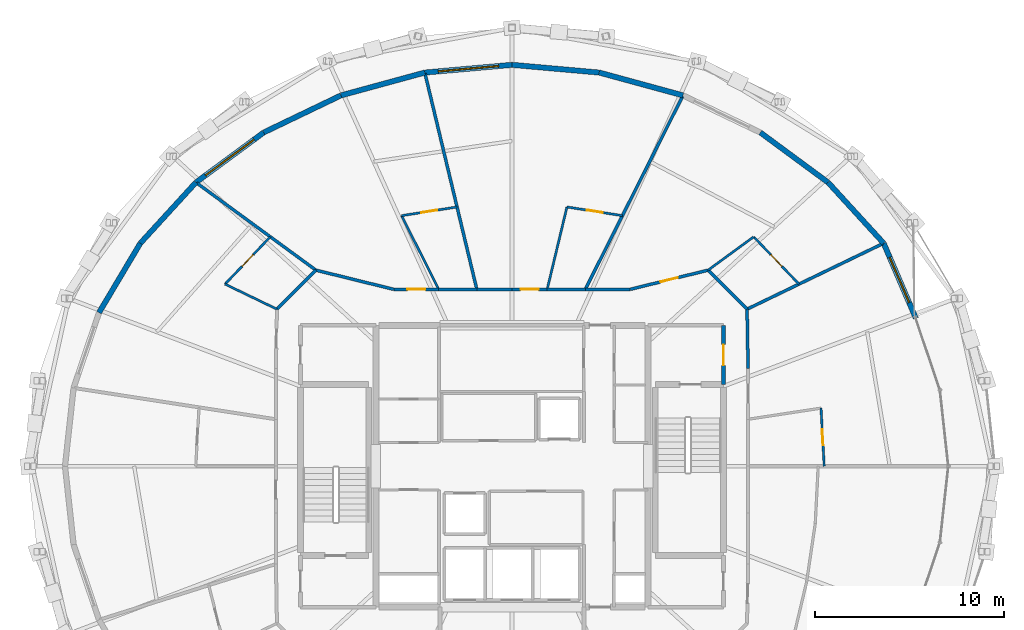
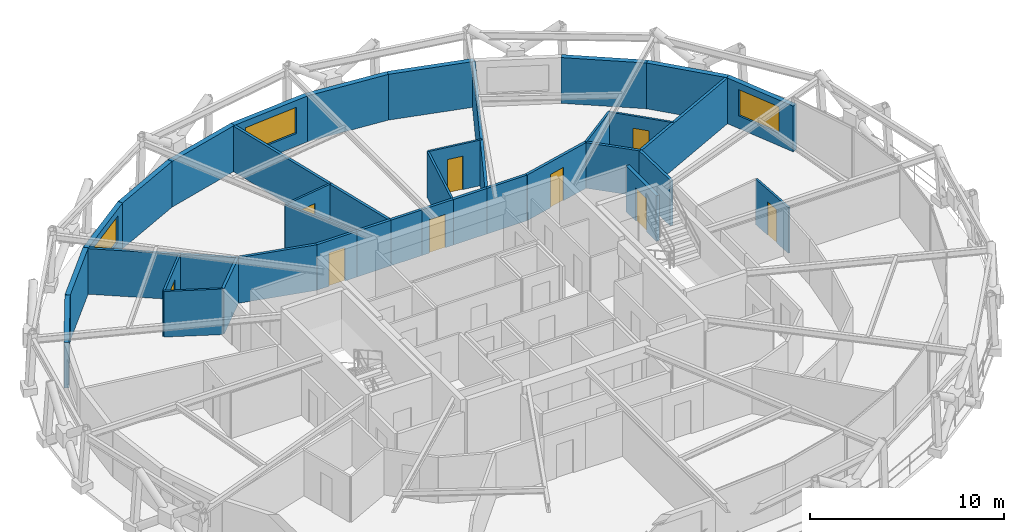
# One storey, part 15 of 17: 36 walls, 9 doors, 3 windows, 12 openings.
"""IFC4 building model written with IfcOpenShell, lengths in metres."""

import ifcopenshell
import ifcopenshell.guid

model = None  # the IFC model being written
_history = None  # IfcOwnerHistory: only IFC2X3 demands one
_inside = {}  # id of a spatial element -> (the spatial element, [elements in it])
_under = {}  # id of a project, library or spatial element -> (it, [spatial elements below it])
_declared = {}  # id of a project -> (the project, [libraries it declares])
_typed = {}  # id of a type object -> (the type object, [elements of that type])
_made_of = {}  # id of a material, layer set ... -> (it, [elements and type objects made of it])


def new_model(schema):
    """Start an empty IFC model of exactly this schema.

    Asked for "IFC4X3", IfcOpenShell would pick the latest addendum, in which some entities
    have other attributes; the version numbers below select the first issue.
    IFC2X3 requires an IfcOwnerHistory on every rooted entity: one is made here for all.
    """
    global model, _history
    if schema == "IFC4X3":
        model = ifcopenshell.file(schema_version=(4, 3, 0, 0))
    else:
        model = ifcopenshell.file(schema=schema)
    _inside.clear()
    _under.clear()
    _declared.clear()
    _typed.clear()
    _made_of.clear()
    _history = None
    if model.schema == "IFC2X3":
        org = make("IfcOrganization", Name="unknown")
        user = make(
            "IfcPersonAndOrganization",
            ThePerson=make("IfcPerson", FamilyName="unknown"),
            TheOrganization=org,
        )
        app = make(
            "IfcApplication",
            ApplicationDeveloper=org,
            Version="unknown",
            ApplicationFullName="unknown",
            ApplicationIdentifier="unknown",
        )
        _history = make(
            "IfcOwnerHistory",
            OwningUser=user,
            OwningApplication=app,
            ChangeAction="ADDED",
            CreationDate=0,
        )
    return model


def make(cls, **values):
    """One entity of the class cls with the attributes given. An attribute that is None is left unset."""
    return model.create_entity(
        cls, **{name: value for name, value in values.items() if value is not None}
    )


def rooted(cls, **values):
    """An entity with a GlobalId (a new one), such as an element, a storey or a relation."""
    return make(cls, GlobalId=ifcopenshell.guid.new(), OwnerHistory=_history, **values)


def si_unit(unit_type, name, prefix=None):
    """IfcSIUnit, for example si_unit("LENGTHUNIT", "METRE", prefix="MILLI")."""
    return make("IfcSIUnit", UnitType=unit_type, Prefix=prefix, Name=name)


def assignment(units):
    """IfcUnitAssignment: the units of a project."""
    return None if units is None else make("IfcUnitAssignment", Units=units)


def point(xyz):
    """IfcCartesianPoint."""
    return None if xyz is None else make("IfcCartesianPoint", Coordinates=xyz)


def direction(xyz):
    """IfcDirection."""
    return None if xyz is None else make("IfcDirection", DirectionRatios=xyz)


def frame(location, z_axis=None, x_axis=None):
    """IfcAxis2Placement3D, a coordinate frame: its origin and axes. An axis left out is left unset."""
    return make(
        "IfcAxis2Placement3D",
        Location=point(location),
        Axis=direction(z_axis),
        RefDirection=direction(x_axis),
    )


def frame_2d(location, x_axis=None):
    """IfcAxis2Placement2D, a coordinate frame in the plane: its origin and x axis."""
    return make(
        "IfcAxis2Placement2D", Location=point(location), RefDirection=direction(x_axis)
    )


def origin():
    """The frame at (0, 0, 0) with its axes left unset."""
    return frame((0.0, 0.0, 0.0))


def place(relative_to, where):
    """IfcLocalPlacement: puts the frame where relative to a parent placement (None: the world)."""
    return make(
        "IfcLocalPlacement", PlacementRelTo=relative_to, RelativePlacement=where
    )


def context(
    kind, dimensions, precision=None, world=None, true_north=None, identifier=None
):
    """IfcGeometricRepresentationContext, for example the 3D "Model" context."""
    return make(
        "IfcGeometricRepresentationContext",
        ContextIdentifier=identifier,
        ContextType=kind,
        CoordinateSpaceDimension=dimensions,
        Precision=precision,
        WorldCoordinateSystem=world,
        TrueNorth=true_north,
    )


def subcontext(parent, identifier, kind, view, scale=None):
    """IfcGeometricRepresentationSubContext, for example "Body" below "Model"."""
    return make(
        "IfcGeometricRepresentationSubContext",
        ContextIdentifier=identifier,
        ContextType=kind,
        ParentContext=parent,
        TargetScale=scale,
        TargetView=view,
    )


def project(units=None, contexts=None):
    """IfcProject with its units and contexts."""
    return rooted(
        "IfcProject",
        Name="project",
        RepresentationContexts=contexts,
        UnitsInContext=assignment(units),
    )


def spatial(cls, under=None, at=None, **own):
    """A site, building, storey or space (cls), placed at a placement, below another one or the project."""
    s = rooted(cls, ObjectPlacement=at, **own)
    if under is not None:
        _under.setdefault(under.id(), (under, []))[1].append(s)
    return s


def profile(cls, at=None, kind="AREA", **sizes):
    """A parametric profile (cls). Its sizes go by their IFC names, for example OverallWidth=200.0."""
    return make(cls, ProfileType=kind, Position=at, **sizes)


def rectangle(**sizes):
    """IfcRectangleProfileDef."""
    return profile("IfcRectangleProfileDef", **sizes)


def extrude(swept, where, along, depth):
    """IfcExtrudedAreaSolid: the profile swept, set in the frame where, extruded along a direction by depth."""
    return make(
        "IfcExtrudedAreaSolid",
        SweptArea=swept,
        Position=where,
        ExtrudedDirection=direction(along),
        Depth=depth,
    )


def shape(context_of_items, identifier, shape_type, items):
    """IfcShapeRepresentation: the items that make up one representation, for example the "Body"."""
    return make(
        "IfcShapeRepresentation",
        ContextOfItems=context_of_items,
        RepresentationIdentifier=identifier,
        RepresentationType=shape_type,
        Items=items,
    )


def material(Name=None, Category=None):
    """IfcMaterial."""
    return make("IfcMaterial", Name=Name, Category=Category)


def layer(
    of_material, thickness, ventilated=None, Name=None, Category=None, Priority=None
):
    """IfcMaterialLayer: one layer of a wall or slab, of a material (None: an air gap)."""
    return make(
        "IfcMaterialLayer",
        Material=of_material,
        LayerThickness=thickness,
        IsVentilated=ventilated,
        Name=Name,
        Category=Category,
        Priority=Priority,
    )


def layer_set(layers, Name=None):
    """IfcMaterialLayerSet."""
    return make("IfcMaterialLayerSet", MaterialLayers=layers, LayerSetName=Name)


def made_of(thing, what):
    """Note that an element or type object is made of a material, layer set ...; save() writes the relation."""
    if what is not None:
        _made_of.setdefault(what.id(), (what, []))[1].append(thing)
    return thing


def type_object(cls, material=None, **own):
    """A type object (cls), such as IfcWallType, which elements share."""
    return made_of(rooted(cls, **own), material)


def element(
    cls,
    number,
    at=None,
    inside=None,
    cuts=None,
    type_object=None,
    material=None,
    context=None,
    identifier="Body",
    shape_type=None,
    held_by="IfcProductDefinitionShape",
    body=None,
    shapes=None,
    **own,
):
    """One element of the class cls, such as IfcWall. Its Tag is "e" and its number.

    at: its placement. inside: the storey or other place that contains it. cuts: it is an
    opening in that element (IfcRelVoidsElement). A single representation is given by context,
    identifier, shape_type and body (its items); several are given by shapes. held_by: the class
    of the entity that holds the representations. save() writes the other relations.
    """
    e = rooted(cls, Tag="e%d" % number, ObjectPlacement=at, **own)
    if body is not None:
        shapes = [shape(context, identifier, shape_type, body)]
    if shapes is not None:
        e.Representation = make(held_by, Representations=shapes)
    if inside is not None:
        _inside.setdefault(inside.id(), (inside, []))[1].append(e)
    if cuts is not None:
        rooted(
            "IfcRelVoidsElement", RelatingBuildingElement=cuts, RelatedOpeningElement=e
        )
    if type_object is not None:
        _typed.setdefault(type_object.id(), (type_object, []))[1].append(e)
    return made_of(e, material)


def fill(opening, filler):
    """IfcRelFillsElement: the door or window that sits in an opening."""
    return rooted(
        "IfcRelFillsElement",
        RelatingOpeningElement=opening,
        RelatedBuildingElement=filler,
    )


def aggregate(whole, parts):
    """IfcRelAggregates: a whole, such as a stair, and the parts it consists of."""
    return rooted("IfcRelAggregates", RelatingObject=whole, RelatedObjects=parts)


def save(model, path):
    """Write the relations noted so far, then the file.

    IfcRelAggregates (storeys below a building ...), IfcRelContainedInSpatialStructure (elements
    in a storey), IfcRelDefinesByType, IfcRelAssociatesMaterial and IfcRelDeclares: one each for
    every whole, place, type object, material and project.
    """
    for whole, parts in _under.values():
        aggregate(whole, parts)
    for where, things in _inside.values():
        rooted(
            "IfcRelContainedInSpatialStructure",
            RelatedElements=things,
            RelatingStructure=where,
        )
    for kind, things in _typed.values():
        rooted("IfcRelDefinesByType", RelatedObjects=things, RelatingType=kind)
    for what, things in _made_of.values():
        rooted("IfcRelAssociatesMaterial", RelatedObjects=things, RelatingMaterial=what)
    for by, libraries in _declared.values():
        rooted("IfcRelDeclares", RelatingContext=by, RelatedDefinitions=libraries)
    model.write(path)


model = new_model("IFC4")

# Units and contexts
model_context = context("Model", 3, precision=1e-05, world=origin(), true_north=direction((0.0, 1.0)))
body_context = subcontext(model_context, "Body", "Model", "MODEL_VIEW")
ifc_project = project(units=[si_unit("LENGTHUNIT", "METRE"), si_unit("AREAUNIT", "SQUARE_METRE"), si_unit("VOLUMEUNIT", "CUBIC_METRE"), si_unit("PLANEANGLEUNIT", "RADIAN"), si_unit("MASSUNIT", "GRAM", prefix="KILO")], contexts=[model_context])

# Site, building, storey
site_placement = place(None, origin())
site = spatial("IfcSite", under=ifc_project, at=site_placement, CompositionType="ELEMENT")
building_placement = place(site_placement, origin())
building = spatial("IfcBuilding", under=site, at=building_placement, Name="Veldorina Hangang Commons", CompositionType="ELEMENT")
storey_placement = place(building_placement, frame((0.0, 0.0, 214.800048828125)))
storey = spatial("IfcBuildingStorey", under=building, at=storey_placement, Name="L55", CompositionType="ELEMENT", Elevation=214.800048828125)

# Wall, opening, window
ifc_material_1 = material(Name="Stone Roman Travertine", Category="masonry")
ifc_layer_1 = layer(ifc_material_1, 0.280029296875)
ifc_layer_set_1 = layer_set([ifc_layer_1], Name="Stone Roman Travertine")
wall_type_1 = type_object("IfcWallType", Name="EW-TRAV-280", PredefinedType="STANDARD", material=ifc_layer_set_1)
wall_1_placement = place(storey_placement, frame((53.35009765625, 31.8212890625, 0.0), z_axis=(0.0, 0.0, 1.0), x_axis=(-0.394335596309, 0.918966505094, 0.0)))
wall_1 = element("IfcWall", 1, at=wall_1_placement, inside=storey, type_object=wall_type_1, Name="L55 travertine facade wall 02", PredefinedType="STANDARD", context=body_context, shape_type="SweptSolid", body=[
    extrude(rectangle(XDim=4.317138671875, YDim=0.280029296875, at=frame_2d((2.15869140625, 0.0))), origin(), (0.0, 0.0, 1.0), 2.8798828125),
])
opening_1_placement = place(wall_1_placement, frame((0.904541015625, 0.0, 0.800048828125)))
opening_1 = element("IfcOpeningElement", 2, at=opening_1_placement, cuts=wall_1, Name="Opening W-02", PredefinedType="OPENING", context=body_context, shape_type="SweptSolid", body=[
    extrude(rectangle(XDim=2.60009765625, YDim=1.64990234375, at=frame_2d((1.300048828125, 0.824951171875))), frame((0.0, 0.14990234375, 0.0), z_axis=(0.0, -1.0, 0.0), x_axis=(1.0, 0.0, 0.0)), (0.0, 0.0, 1.0), 0.300048828125),
])
ifc_material_2 = material(Name="Glass Low-E Triple IGU", Category="glass")
window_type_1 = type_object("IfcWindowType", Name="WIN-TWR-2600", PartitioningType="SINGLE_PANEL", PredefinedType="WINDOW", material=ifc_material_2)
window_1_placement = place(opening_1_placement, origin())
window_1 = element("IfcWindow", 3, at=window_1_placement, inside=storey, type_object=window_type_1, Name="L55 facade window 02", OverallHeight=1.64990234375, OverallWidth=2.60009765625, PartitioningType="SINGLE_PANEL", PredefinedType="WINDOW", context=body_context, shape_type="SweptSolid", body=[
    extrude(rectangle(XDim=2.60009765625, YDim=1.64990234375, at=frame_2d((1.300048828125, 0.824951171875))), frame((0.0, 0.030029296875, 0.0), z_axis=(0.0, -1.0, 0.0), x_axis=(1.0, 0.0, 0.0)), (0.0, 0.0, 1.0), 0.06005859375),
])
fill(opening_1, window_1)

# Walls
wall_2_placement = place(storey_placement, frame((51.647705078125, 35.78857421875, 0.0), z_axis=(0.0, 0.0, 1.0), x_axis=(-0.674642715371, 0.73814443478, 0.0)))
element("IfcWall", 4, at=wall_2_placement, inside=storey, type_object=wall_type_1, Name="L55 travertine facade wall 03", PredefinedType="STANDARD", context=body_context, shape_type="SweptSolid", body=[
    extrude(rectangle(XDim=4.35595703125, YDim=0.280029296875, at=frame_2d((2.177978515625, 0.0))), origin(), (0.0, 0.0, 1.0), 2.8798828125),
])
wall_3_placement = place(storey_placement, frame((48.708984375, 39.00390625, 0.0), z_axis=(0.0, 0.0, 1.0), x_axis=(-0.8050103103, 0.593260819801, 0.0)))
element("IfcWall", 5, at=wall_3_placement, inside=storey, type_object=wall_type_1, Name="L55 travertine facade wall 04", PredefinedType="STANDARD", context=body_context, shape_type="SweptSolid", body=[
    extrude(rectangle(XDim=4.4482421875, YDim=0.280029296875, at=frame_2d((2.22412109375, 0.0))), origin(), (0.0, 0.0, 1.0), 2.8798828125),
])
wall_4_placement = place(storey_placement, frame((41.042724609375, 43.603515625, 0.0), z_axis=(0.0, 0.0, 1.0), x_axis=(-0.964839814396, 0.26283860553, 0.0)))
element("IfcWall", 6, at=wall_4_placement, inside=storey, type_object=wall_type_1, Name="L55 travertine facade wall 06", PredefinedType="STANDARD", context=body_context, shape_type="SweptSolid", body=[
    extrude(rectangle(XDim=4.59423828125, YDim=0.280029296875, at=frame_2d((2.297119140625, 0.0))), origin(), (0.0, 0.0, 1.0), 2.8798828125),
])
wall_5_placement = place(storey_placement, frame((36.610107421875, 44.81103515625, 0.0), z_axis=(0.0, 0.0, 1.0), x_axis=(-0.99611203437, 0.088095487867, 0.0)))
element("IfcWall", 7, at=wall_5_placement, inside=storey, type_object=wall_type_1, Name="L55 travertine facade wall 07", PredefinedType="STANDARD", context=body_context, shape_type="SweptSolid", body=[
    extrude(rectangle(XDim=4.628173828125, YDim=0.280029296875, at=frame_2d((2.31396484375, 0.0))), origin(), (0.0, 0.0, 1.0), 2.8798828125),
])

# Wall, opening, window
wall_6_placement = place(storey_placement, frame((32.0, 45.21875, 0.0), z_axis=(0.0, 0.0, 1.0), x_axis=(-0.99611203437, -0.088095487867, 0.0)))
wall_6 = element("IfcWall", 8, at=wall_6_placement, inside=storey, type_object=wall_type_1, Name="L55 travertine facade wall 08", PredefinedType="STANDARD", context=body_context, shape_type="SweptSolid", body=[
    extrude(rectangle(XDim=4.628173828125, YDim=0.280029296875, at=frame_2d((2.31396484375, 0.0))), origin(), (0.0, 0.0, 1.0), 2.8798828125),
])
opening_2_placement = place(wall_6_placement, frame((0.714111328125, 0.0, 0.800048828125)))
opening_2 = element("IfcOpeningElement", 9, at=opening_2_placement, cuts=wall_6, Name="Opening W-01", PredefinedType="OPENING", context=body_context, shape_type="SweptSolid", body=[
    extrude(rectangle(XDim=3.199951171875, YDim=1.64990234375, at=frame_2d((1.60009765625, 0.824951171875))), frame((0.0, 0.14990234375, 0.0), z_axis=(0.0, -1.0, 0.0), x_axis=(1.0, 0.0, 0.0)), (0.0, 0.0, 1.0), 0.300048828125),
])
window_type_2 = type_object("IfcWindowType", Name="WIN-TWR-3200", PartitioningType="SINGLE_PANEL", PredefinedType="WINDOW", material=ifc_material_2)
window_2_placement = place(opening_2_placement, origin())
window_2 = element("IfcWindow", 10, at=window_2_placement, inside=storey, type_object=window_type_2, Name="L55 facade window 08", OverallHeight=1.64990234375, OverallWidth=3.199951171875, PartitioningType="SINGLE_PANEL", PredefinedType="WINDOW", context=body_context, shape_type="SweptSolid", body=[
    extrude(rectangle(XDim=3.199951171875, YDim=1.64990234375, at=frame_2d((1.60009765625, 0.824951171875))), frame((0.0, 0.030029296875, 0.0), z_axis=(0.0, -1.0, 0.0), x_axis=(1.0, 0.0, 0.0)), (0.0, 0.0, 1.0), 0.06005859375),
])
fill(opening_2, window_2)

# Walls
wall_7_placement = place(storey_placement, frame((27.389892578125, 44.81103515625, 0.0), z_axis=(0.0, 0.0, 1.0), x_axis=(-0.964839814396, -0.26283860553, 0.0)))
element("IfcWall", 11, at=wall_7_placement, inside=storey, type_object=wall_type_1, Name="L55 travertine facade wall 09", PredefinedType="STANDARD", context=body_context, shape_type="SweptSolid", body=[
    extrude(rectangle(XDim=4.59423828125, YDim=0.280029296875, at=frame_2d((2.297119140625, 0.0))), origin(), (0.0, 0.0, 1.0), 2.8798828125),
])
wall_8_placement = place(storey_placement, frame((22.957275390625, 43.603515625, 0.0), z_axis=(0.0, 0.0, 1.0), x_axis=(-0.90155079899, -0.432673267999, 0.0)))
element("IfcWall", 12, at=wall_8_placement, inside=storey, type_object=wall_type_1, Name="L55 travertine facade wall 10", PredefinedType="STANDARD", context=body_context, shape_type="SweptSolid", body=[
    extrude(rectangle(XDim=4.531494140625, YDim=0.280029296875, at=frame_2d((2.265625, 0.0))), origin(), (0.0, 0.0, 1.0), 2.8798828125),
])

# Wall, opening, window
wall_9_placement = place(storey_placement, frame((18.871826171875, 41.642822265625, 0.0), z_axis=(0.0, 0.0, 1.0), x_axis=(-0.8050103103, -0.593260819801, 0.0)))
wall_9 = element("IfcWall", 13, at=wall_9_placement, inside=storey, type_object=wall_type_1, Name="L55 travertine facade wall 11", PredefinedType="STANDARD", context=body_context, shape_type="SweptSolid", body=[
    extrude(rectangle(XDim=4.4482421875, YDim=0.280029296875, at=frame_2d((2.22412109375, 0.0))), origin(), (0.0, 0.0, 1.0), 2.8798828125),
])
opening_3_placement = place(wall_9_placement, frame((0.6240234375, 0.0, 0.800048828125)))
opening_3 = element("IfcOpeningElement", 14, at=opening_3_placement, cuts=wall_9, Name="Opening W-01", PredefinedType="OPENING", context=body_context, shape_type="SweptSolid", body=[
    extrude(rectangle(XDim=3.199951171875, YDim=1.64990234375, at=frame_2d((1.60009765625, 0.824951171875))), frame((0.0, 0.14990234375, 0.0), z_axis=(0.0, -1.0, 0.0), x_axis=(1.0, 0.0, 0.0)), (0.0, 0.0, 1.0), 0.300048828125),
])
window_3_placement = place(opening_3_placement, origin())
window_3 = element("IfcWindow", 15, at=window_3_placement, inside=storey, type_object=window_type_2, Name="L55 facade window 11", OverallHeight=1.64990234375, OverallWidth=3.199951171875, PartitioningType="SINGLE_PANEL", PredefinedType="WINDOW", context=body_context, shape_type="SweptSolid", body=[
    extrude(rectangle(XDim=3.199951171875, YDim=1.64990234375, at=frame_2d((1.60009765625, 0.824951171875))), frame((0.0, 0.030029296875, 0.0), z_axis=(0.0, -1.0, 0.0), x_axis=(1.0, 0.0, 0.0)), (0.0, 0.0, 1.0), 0.06005859375),
])
fill(opening_3, window_3)

# Walls
wall_10_placement = place(storey_placement, frame((15.291015625, 39.00390625, 0.0), z_axis=(0.0, 0.0, 1.0), x_axis=(-0.674642715371, -0.73814443478, 0.0)))
element("IfcWall", 16, at=wall_10_placement, inside=storey, type_object=wall_type_1, Name="L55 travertine facade wall 12", PredefinedType="STANDARD", context=body_context, shape_type="SweptSolid", body=[
    extrude(rectangle(XDim=4.35595703125, YDim=0.280029296875, at=frame_2d((2.177978515625, 0.0))), origin(), (0.0, 0.0, 1.0), 2.8798828125),
])
wall_11_placement = place(storey_placement, frame((12.352294921875, 35.78857421875, 0.0), z_axis=(0.0, 0.0, 1.0), x_axis=(-0.511481849, -0.859294081292, 0.0)))
element("IfcWall", 17, at=wall_11_placement, inside=storey, type_object=wall_type_1, Name="L55 travertine facade wall 13", PredefinedType="STANDARD", context=body_context, shape_type="SweptSolid", body=[
    extrude(rectangle(XDim=4.26904296875, YDim=0.280029296875, at=frame_2d((2.134521484375, 0.0))), origin(), (0.0, 0.0, 1.0), 2.8798828125),
])
ifc_material_3 = material(Name="Gypsum Fire-Rated Twin Stud Wall", Category="gypsum")
ifc_layer_2 = layer(ifc_material_3, 0.159912109375)
ifc_layer_set_2 = layer_set([ifc_layer_2], Name="Gypsum Fire-Rated Twin Stud Wall")
wall_type_2 = type_object("IfcWallType", Name="WL-FIRE-160", PredefinedType="SOLIDWALL", material=ifc_layer_set_2)
wall_12_placement = place(storey_placement, frame((44.47998046875, 29.16943359375, 0.0), z_axis=(0.0, 0.0, 1.0), x_axis=(-0.016981035134, 0.999855811828, 0.0)))
element("IfcWall", 18, at=wall_12_placement, inside=storey, type_object=wall_type_2, Name="L55 Compact collar outer wall 02 054", PredefinedType="SOLIDWALL", context=body_context, shape_type="SweptSolid", body=[
    extrude(rectangle(XDim=3.13427734375, YDim=0.159912109375, at=frame_2d((1.567138671875, 0.0))), origin(), (0.0, 0.0, 1.0), 2.869873046875),
])
wall_13_placement = place(storey_placement, frame((44.4267578125, 32.30322265625, 0.0), z_axis=(0.0, 0.0, 1.0), x_axis=(-0.707106781187, 0.707106781187, 0.0)))
element("IfcWall", 19, at=wall_13_placement, inside=storey, type_object=wall_type_2, Name="L55 Compact collar outer wall 03 055", PredefinedType="SOLIDWALL", context=body_context, shape_type="SweptSolid", body=[
    extrude(rectangle(XDim=2.915771484375, YDim=0.159912109375, at=frame_2d((1.4580078125, 0.0))), origin(), (0.0, 0.0, 1.0), 2.869873046875),
])

# Wall, opening, door
wall_14_placement = place(storey_placement, frame((42.364990234375, 34.364990234375, 0.0), z_axis=(0.0, 0.0, 1.0), x_axis=(-0.970939799552, -0.239323850978, 0.0)))
wall_14 = element("IfcWall", 20, at=wall_14_placement, inside=storey, type_object=wall_type_2, Name="L55 Compact collar outer wall 04 056", PredefinedType="SOLIDWALL", context=body_context, shape_type="SweptSolid", body=[
    extrude(rectangle(XDim=4.24072265625, YDim=0.159912109375, at=frame_2d((2.120361328125, 0.0))), origin(), (0.0, 0.0, 1.0), 2.869873046875),
])
opening_4_placement = place(wall_14_placement, frame((1.6455078125, 0.0, 0.0)))
opening_4 = element("IfcOpeningElement", 21, at=opening_4_placement, cuts=wall_14, Name="Opening D-03", PredefinedType="OPENING", context=body_context, shape_type="SweptSolid", body=[
    extrude(rectangle(XDim=0.949951171875, YDim=2.10009765625, at=frame_2d((0.47509765625, 1.050048828125))), frame((0.0, 0.08984375, 0.0), z_axis=(0.0, -1.0, 0.0), x_axis=(1.0, 0.0, 0.0)), (0.0, 0.0, 1.0), 0.179931640625),
])
ifc_material_4 = material(Name="Timber Fire-Rated Entrance Core", Category="wood")
door_type_1 = type_object("IfcDoorType", Name="DR-UNIT-950", OperationType="SINGLE_SWING_RIGHT", PredefinedType="DOOR", material=ifc_material_4)
door_1_placement = place(opening_4_placement, origin())
door_1 = element("IfcDoor", 22, at=door_1_placement, inside=storey, type_object=door_type_1, Name="L55 Studio 3 entrance door 025", OperationType="SINGLE_SWING_LEFT", OverallHeight=2.10009765625, OverallWidth=0.949951171875, PredefinedType="DOOR", context=body_context, shape_type="SweptSolid", body=[
    extrude(rectangle(XDim=0.949951171875, YDim=2.10009765625, at=frame_2d((0.47509765625, 1.050048828125))), frame((0.0, 0.02490234375, 0.0), z_axis=(0.0, -1.0, 0.0), x_axis=(1.0, 0.0, 0.0)), (0.0, 0.0, 1.0), 0.050048828125),
])
fill(opening_4, door_1)

# Walls
wall_15_placement = place(storey_placement, frame((38.24755859375, 33.35009765625, 0.0), z_axis=(0.0, 0.0, 1.0), x_axis=(-1.0, 0.0, 0.0)))
element("IfcWall", 23, at=wall_15_placement, inside=storey, type_object=wall_type_2, Name="L55 Compact collar outer wall 05 057", PredefinedType="SOLIDWALL", context=body_context, shape_type="SweptSolid", body=[
    extrude(rectangle(XDim=2.374755859375, YDim=0.159912109375, at=frame_2d((1.1875, 0.0))), origin(), (0.0, 0.0, 1.0), 2.869873046875),
])
wall_16_placement = place(storey_placement, frame((35.872802734375, 33.35009765625, 0.0), z_axis=(0.0, 0.0, 1.0), x_axis=(-1.0, 0.0, 0.0)))
element("IfcWall", 24, at=wall_16_placement, inside=storey, type_object=wall_type_2, Name="L55 Compact collar outer wall 06 058", PredefinedType="SOLIDWALL", context=body_context, shape_type="SweptSolid", body=[
    extrude(rectangle(XDim=2.012939453125, YDim=0.159912109375, at=frame_2d((1.00634765625, 0.0))), origin(), (0.0, 0.0, 1.0), 2.869873046875),
])

# Wall, opening, door
wall_17_placement = place(storey_placement, frame((33.85986328125, 33.35009765625, 0.0), z_axis=(0.0, 0.0, 1.0), x_axis=(-1.0, 0.0, 0.0)))
wall_17 = element("IfcWall", 25, at=wall_17_placement, inside=storey, type_object=wall_type_2, Name="L55 Compact collar outer wall 07 059", PredefinedType="SOLIDWALL", context=body_context, shape_type="SweptSolid", body=[
    extrude(rectangle(XDim=1.85986328125, YDim=0.159912109375, at=frame_2d((0.929931640625, 0.0))), origin(), (0.0, 0.0, 1.0), 2.869873046875),
])
opening_5_placement = place(wall_17_placement, frame((0.454833984375, 0.0, 0.0)))
opening_5 = element("IfcOpeningElement", 26, at=opening_5_placement, cuts=wall_17, Name="Opening D-03", PredefinedType="OPENING", context=body_context, shape_type="SweptSolid", body=[
    extrude(rectangle(XDim=0.949951171875, YDim=2.10009765625, at=frame_2d((0.47509765625, 1.050048828125))), frame((0.0, 0.08984375, 0.0), z_axis=(0.0, -1.0, 0.0), x_axis=(1.0, 0.0, 0.0)), (0.0, 0.0, 1.0), 0.179931640625),
])
door_2_placement = place(opening_5_placement, origin())
door_2 = element("IfcDoor", 27, at=door_2_placement, inside=storey, type_object=door_type_1, Name="L55 Studio 4 entrance door 027", OperationType="SINGLE_SWING_LEFT", OverallHeight=2.10009765625, OverallWidth=0.949951171875, PredefinedType="DOOR", context=body_context, shape_type="SweptSolid", body=[
    extrude(rectangle(XDim=0.949951171875, YDim=2.10009765625, at=frame_2d((0.47509765625, 1.050048828125))), frame((0.0, 0.02490234375, 0.0), z_axis=(0.0, -1.0, 0.0), x_axis=(1.0, 0.0, 0.0)), (0.0, 0.0, 1.0), 0.050048828125),
])
fill(opening_5, door_2)

# Walls
wall_18_placement = place(storey_placement, frame((32.0, 33.35009765625, 0.0), z_axis=(0.0, 0.0, 1.0), x_axis=(-1.0, 0.0, 0.0)))
element("IfcWall", 28, at=wall_18_placement, inside=storey, type_object=wall_type_2, Name="L55 Compact collar outer wall 08 060", PredefinedType="SOLIDWALL", context=body_context, shape_type="SweptSolid", body=[
    extrude(rectangle(XDim=1.85986328125, YDim=0.159912109375, at=frame_2d((0.929931640625, 0.0))), origin(), (0.0, 0.0, 1.0), 2.869873046875),
])
wall_19_placement = place(storey_placement, frame((30.14013671875, 33.35009765625, 0.0), z_axis=(0.0, 0.0, 1.0), x_axis=(-1.0, 0.0, 0.0)))
element("IfcWall", 29, at=wall_19_placement, inside=storey, type_object=wall_type_2, Name="L55 Compact collar outer wall 09 061", PredefinedType="SOLIDWALL", context=body_context, shape_type="SweptSolid", body=[
    extrude(rectangle(XDim=2.012939453125, YDim=0.159912109375, at=frame_2d((1.00634765625, 0.0))), origin(), (0.0, 0.0, 1.0), 2.869873046875),
])

# Wall, opening, door
wall_20_placement = place(storey_placement, frame((28.127197265625, 33.35009765625, 0.0), z_axis=(0.0, 0.0, 1.0), x_axis=(-1.0, 0.0, 0.0)))
wall_20 = element("IfcWall", 30, at=wall_20_placement, inside=storey, type_object=wall_type_2, Name="L55 Compact collar outer wall 10 062", PredefinedType="SOLIDWALL", context=body_context, shape_type="SweptSolid", body=[
    extrude(rectangle(XDim=2.374755859375, YDim=0.159912109375, at=frame_2d((1.1875, 0.0))), origin(), (0.0, 0.0, 1.0), 2.869873046875),
])
opening_6_placement = place(wall_20_placement, frame((0.71240234375, 0.0, 0.0)))
opening_6 = element("IfcOpeningElement", 31, at=opening_6_placement, cuts=wall_20, Name="Opening D-03", PredefinedType="OPENING", context=body_context, shape_type="SweptSolid", body=[
    extrude(rectangle(XDim=0.949951171875, YDim=2.10009765625, at=frame_2d((0.47509765625, 1.050048828125))), frame((0.0, 0.08984375, 0.0), z_axis=(0.0, -1.0, 0.0), x_axis=(1.0, 0.0, 0.0)), (0.0, 0.0, 1.0), 0.179931640625),
])
door_3_placement = place(opening_6_placement, origin())
door_3 = element("IfcDoor", 32, at=door_3_placement, inside=storey, type_object=door_type_1, Name="L55 Studio 5 entrance door 029", OperationType="SINGLE_SWING_LEFT", OverallHeight=2.10009765625, OverallWidth=0.949951171875, PredefinedType="DOOR", context=body_context, shape_type="SweptSolid", body=[
    extrude(rectangle(XDim=0.949951171875, YDim=2.10009765625, at=frame_2d((0.47509765625, 1.050048828125))), frame((0.0, 0.02490234375, 0.0), z_axis=(0.0, -1.0, 0.0), x_axis=(1.0, 0.0, 0.0)), (0.0, 0.0, 1.0), 0.050048828125),
])
fill(opening_6, door_3)

# Walls
wall_21_placement = place(storey_placement, frame((25.75244140625, 33.35009765625, 0.0), z_axis=(0.0, 0.0, 1.0), x_axis=(-0.970939799552, 0.239323850978, 0.0)))
element("IfcWall", 33, at=wall_21_placement, inside=storey, type_object=wall_type_2, Name="L55 Compact collar outer wall 11 063", PredefinedType="SOLIDWALL", context=body_context, shape_type="SweptSolid", body=[
    extrude(rectangle(XDim=4.24072265625, YDim=0.159912109375, at=frame_2d((2.120361328125, 0.0))), origin(), (0.0, 0.0, 1.0), 2.869873046875),
])
wall_22_placement = place(storey_placement, frame((21.635009765625, 34.364990234375, 0.0), z_axis=(0.0, 0.0, 1.0), x_axis=(-0.707106781187, -0.707106781187, 0.0)))
element("IfcWall", 34, at=wall_22_placement, inside=storey, type_object=wall_type_2, Name="L55 Compact collar outer wall 12 064", PredefinedType="SOLIDWALL", context=body_context, shape_type="SweptSolid", body=[
    extrude(rectangle(XDim=2.915771484375, YDim=0.159912109375, at=frame_2d((1.4580078125, 0.0))), origin(), (0.0, 0.0, 1.0), 2.869873046875),
])
wall_23_placement = place(storey_placement, frame((44.4267578125, 32.30322265625, 0.0), z_axis=(0.0, 0.0, 1.0), x_axis=(0.900578522431, 0.434693368867, 0.0)))
element("IfcWall", 35, at=wall_23_placement, inside=storey, type_object=wall_type_2, Name="L55 Unit party wall 03 093", PredefinedType="SOLIDWALL", context=body_context, shape_type="SweptSolid", body=[
    extrude(rectangle(XDim=7.968017578125, YDim=0.159912109375, at=frame_2d((3.98388671875, 0.0))), origin(), (0.0, 0.0, 1.0), 2.869873046875),
])
wall_24_placement = place(storey_placement, frame((35.872802734375, 33.35009765625, 0.0), z_axis=(0.0, 0.0, 1.0), x_axis=(0.450217644686, 0.892918849848, 0.0)))
element("IfcWall", 36, at=wall_24_placement, inside=storey, type_object=wall_type_2, Name="L55 Unit party wall 06 096", PredefinedType="SOLIDWALL", context=body_context, shape_type="SweptSolid", body=[
    extrude(rectangle(XDim=11.433349609375, YDim=0.159912109375, at=frame_2d((5.716796875, 0.0))), origin(), (0.0, 0.0, 1.0), 2.869873046875),
])
wall_25_placement = place(storey_placement, frame((30.14013671875, 33.35009765625, 0.0), z_axis=(0.0, 0.0, 1.0), x_axis=(-0.233337547779, 0.972395798426, 0.0)))
element("IfcWall", 37, at=wall_25_placement, inside=storey, type_object=wall_type_2, Name="L55 Unit party wall 09 099", PredefinedType="SOLIDWALL", context=body_context, shape_type="SweptSolid", body=[
    extrude(rectangle(XDim=11.736328125, YDim=0.159912109375, at=frame_2d((5.8681640625, 0.0))), origin(), (0.0, 0.0, 1.0), 2.869873046875),
])
wall_26_placement = place(storey_placement, frame((21.635009765625, 34.364990234375, 0.0), z_axis=(0.0, 0.0, 1.0), x_axis=(-0.807193456396, 0.5902869844, 0.0)))
element("IfcWall", 38, at=wall_26_placement, inside=storey, type_object=wall_type_2, Name="L55 Unit party wall 12 102", PredefinedType="SOLIDWALL", context=body_context, shape_type="SweptSolid", body=[
    extrude(rectangle(XDim=7.80908203125, YDim=0.159912109375, at=frame_2d((3.904541015625, 0.0))), origin(), (0.0, 0.0, 1.0), 2.869873046875),
])

# Wall, opening, door
ifc_material_5 = material(Name="Concrete Blockwork Fire Wall C30/37", Category="masonry")
ifc_layer_3 = layer(ifc_material_5, 0.199951171875)
ifc_layer_set_3 = layer_set([ifc_layer_3], Name="Concrete Blockwork Fire Wall C30/37")
wall_type_3 = type_object("IfcWallType", Name="WL-FIRE-200", PredefinedType="SOLIDWALL", material=ifc_layer_set_3)
wall_27_placement = place(storey_placement, frame((43.179931640625, 28.320068359375, 0.0), z_axis=(0.0, 0.0, 1.0), x_axis=(0.0, 1.0, 0.0)))
wall_27 = element("IfcWall", 39, at=wall_27_placement, inside=storey, type_object=wall_type_3, Name="L55 East vestibule outer wall 003", PredefinedType="SOLIDWALL", context=body_context, shape_type="SweptSolid", body=[
    extrude(rectangle(XDim=3.1298828125, YDim=0.199951171875, at=frame_2d((1.56494140625, 0.0))), origin(), (0.0, 0.0, 1.0), 2.869873046875),
])
opening_7_placement = place(wall_27_placement, frame((1.014892578125, 0.0, 0.0)))
opening_7 = element("IfcOpeningElement", 40, at=opening_7_placement, cuts=wall_27, Name="Opening D-08", PredefinedType="OPENING", context=body_context, shape_type="SweptSolid", body=[
    extrude(rectangle(XDim=1.10009765625, YDim=2.10009765625, at=frame_2d((0.550048828125, 1.050048828125))), frame((0.0, 0.10986328125, 0.0), z_axis=(0.0, -1.0, 0.0), x_axis=(1.0, 0.0, 0.0)), (0.0, 0.0, 1.0), 0.219970703125),
])
ifc_material_6 = material(Name="Steel Fire-Rated Smoke Seal", Category="steel")
door_type_2 = type_object("IfcDoorType", Name="DR-FIRE-1100", OperationType="SINGLE_SWING_RIGHT", PredefinedType="DOOR", material=ifc_material_6)
door_4_placement = place(opening_7_placement, origin())
door_4 = element("IfcDoor", 41, at=door_4_placement, inside=storey, type_object=door_type_2, Name="L55 East vestibule east door 002", OperationType="SINGLE_SWING_RIGHT", OverallHeight=2.10009765625, OverallWidth=1.10009765625, PredefinedType="DOOR", context=body_context, shape_type="SweptSolid", body=[
    extrude(rectangle(XDim=1.10009765625, YDim=2.10009765625, at=frame_2d((0.550048828125, 1.050048828125))), frame((0.0, 0.02490234375, 0.0), z_axis=(0.0, -1.0, 0.0), x_axis=(1.0, 0.0, 0.0)), (0.0, 0.0, 1.0), 0.050048828125),
])
fill(opening_7, door_4)

ifc_material_7 = material(Name="Gypsum Acoustic Stud Partition", Category="gypsum")
ifc_layer_4 = layer(ifc_material_7, 0.1201171875)
ifc_layer_set_4 = layer_set([ifc_layer_4], Name="Gypsum Acoustic Stud Partition")
wall_type_4 = type_object("IfcWallType", Name="WL-PART-120", PredefinedType="PARTITIONING", material=ifc_layer_set_4)
wall_28_placement = place(storey_placement, frame((48.504150390625, 24.0, 0.0), z_axis=(0.0, 0.0, 1.0), x_axis=(-0.054779672564, 0.998498466435, 0.0)))
wall_28 = element("IfcWall", 42, at=wall_28_placement, inside=storey, type_object=wall_type_4, Name="L55 Studio 2 bath front wall 091", PredefinedType="PARTITIONING", context=body_context, shape_type="SweptSolid", body=[
    extrude(rectangle(XDim=3.0751953125, YDim=0.1201171875, at=frame_2d((1.53759765625, 0.0))), origin(), (0.0, 0.0, 1.0), 2.869873046875),
])
opening_8_placement = place(wall_28_placement, frame((1.107666015625, 0.0, 0.0)))
opening_8 = element("IfcOpeningElement", 43, at=opening_8_placement, cuts=wall_28, Name="Opening D-01", PredefinedType="OPENING", context=body_context, shape_type="SweptSolid", body=[
    extrude(rectangle(XDim=0.860107421875, YDim=2.10009765625, at=frame_2d((0.43017578125, 1.050048828125))), frame((0.0, 0.070068359375, 0.0), z_axis=(0.0, -1.0, 0.0), x_axis=(1.0, 0.0, 0.0)), (0.0, 0.0, 1.0), 0.14013671875),
])
ifc_material_8 = material(Name="Timber Moisture-Resistant Core", Category="wood")
door_type_3 = type_object("IfcDoorType", Name="DR-WET-860", OperationType="SINGLE_SWING_LEFT", PredefinedType="DOOR", material=ifc_material_8)
door_5_placement = place(opening_8_placement, origin())
door_5 = element("IfcDoor", 44, at=door_5_placement, inside=storey, type_object=door_type_3, Name="L55 Studio 2 bathroom door 022", OperationType="SINGLE_SWING_RIGHT", OverallHeight=2.10009765625, OverallWidth=0.860107421875, PredefinedType="DOOR", context=body_context, shape_type="SweptSolid", body=[
    extrude(rectangle(XDim=0.860107421875, YDim=2.10009765625, at=frame_2d((0.43017578125, 1.050048828125))), frame((0.0, 0.02490234375, 0.0), z_axis=(0.0, -1.0, 0.0), x_axis=(1.0, 0.0, 0.0)), (0.0, 0.0, 1.0), 0.050048828125),
])
fill(opening_8, door_5)

wall_29_placement = place(storey_placement, frame((47.170654296875, 33.627685546875, 0.0), z_axis=(0.0, 0.0, 1.0), x_axis=(-0.691782824038, 0.722105618567, 0.0)))
wall_29 = element("IfcWall", 45, at=wall_29_placement, inside=storey, type_object=wall_type_4, Name="L55 Studio 3 bath front wall 094", PredefinedType="PARTITIONING", context=body_context, shape_type="SweptSolid", body=[
    extrude(rectangle(XDim=3.462158203125, YDim=0.1201171875, at=frame_2d((1.73095703125, 0.0))), origin(), (0.0, 0.0, 1.0), 2.869873046875),
])
opening_9_placement = place(wall_29_placement, frame((1.301025390625, 0.0, 0.0)))
opening_9 = element("IfcOpeningElement", 46, at=opening_9_placement, cuts=wall_29, Name="Opening D-01", PredefinedType="OPENING", context=body_context, shape_type="SweptSolid", body=[
    extrude(rectangle(XDim=0.860107421875, YDim=2.10009765625, at=frame_2d((0.43017578125, 1.050048828125))), frame((0.0, 0.070068359375, 0.0), z_axis=(0.0, -1.0, 0.0), x_axis=(1.0, 0.0, 0.0)), (0.0, 0.0, 1.0), 0.14013671875),
])
door_6_placement = place(opening_9_placement, origin())
door_6 = element("IfcDoor", 47, at=door_6_placement, inside=storey, type_object=door_type_3, Name="L55 Studio 3 bathroom door 024", OperationType="SINGLE_SWING_RIGHT", OverallHeight=2.10009765625, OverallWidth=0.860107421875, PredefinedType="DOOR", context=body_context, shape_type="SweptSolid", body=[
    extrude(rectangle(XDim=0.860107421875, YDim=2.10009765625, at=frame_2d((0.43017578125, 1.050048828125))), frame((0.0, 0.02490234375, 0.0), z_axis=(0.0, -1.0, 0.0), x_axis=(1.0, 0.0, 0.0)), (0.0, 0.0, 1.0), 0.050048828125),
])
fill(opening_9, door_6)

# Wall
wall_30_placement = place(storey_placement, frame((42.364990234375, 34.364990234375, 0.0), z_axis=(0.0, 0.0, 1.0), x_axis=(0.807220331386, 0.590250232187, 0.0)))
element("IfcWall", 48, at=wall_30_placement, inside=storey, type_object=wall_type_4, Name="L55 Studio 3 bath side wall 095", PredefinedType="PARTITIONING", context=body_context, shape_type="SweptSolid", body=[
    extrude(rectangle(XDim=2.986328125, YDim=0.1201171875, at=frame_2d((1.4931640625, 0.0))), origin(), (0.0, 0.0, 1.0), 2.869873046875),
])

# Wall, opening, door
wall_31_placement = place(storey_placement, frame((37.83740234375, 37.246337890625, 0.0), z_axis=(0.0, 0.0, 1.0), x_axis=(-0.987985360341, 0.154547493513, 0.0)))
wall_31 = element("IfcWall", 49, at=wall_31_placement, inside=storey, type_object=wall_type_4, Name="L55 Studio 4 bath front wall 097", PredefinedType="PARTITIONING", context=body_context, shape_type="SweptSolid", body=[
    extrude(rectangle(XDim=2.96826171875, YDim=0.1201171875, at=frame_2d((1.484130859375, 0.0))), origin(), (0.0, 0.0, 1.0), 2.869873046875),
])
opening_10_placement = place(wall_31_placement, frame((1.05419921875, 0.0, 0.0)))
opening_10 = element("IfcOpeningElement", 50, at=opening_10_placement, cuts=wall_31, Name="Opening D-01", PredefinedType="OPENING", context=body_context, shape_type="SweptSolid", body=[
    extrude(rectangle(XDim=0.860107421875, YDim=2.10009765625, at=frame_2d((0.43017578125, 1.050048828125))), frame((0.0, 0.070068359375, 0.0), z_axis=(0.0, -1.0, 0.0), x_axis=(1.0, 0.0, 0.0)), (0.0, 0.0, 1.0), 0.14013671875),
])
door_7_placement = place(opening_10_placement, origin())
door_7 = element("IfcDoor", 51, at=door_7_placement, inside=storey, type_object=door_type_3, Name="L55 Studio 4 bathroom door 026", OperationType="SINGLE_SWING_RIGHT", OverallHeight=2.10009765625, OverallWidth=0.860107421875, PredefinedType="DOOR", context=body_context, shape_type="SweptSolid", body=[
    extrude(rectangle(XDim=0.860107421875, YDim=2.10009765625, at=frame_2d((0.43017578125, 1.050048828125))), frame((0.0, 0.02490234375, 0.0), z_axis=(0.0, -1.0, 0.0), x_axis=(1.0, 0.0, 0.0)), (0.0, 0.0, 1.0), 0.050048828125),
])
fill(opening_10, door_7)

# Wall
wall_32_placement = place(storey_placement, frame((33.85986328125, 33.35009765625, 0.0), z_axis=(0.0, 0.0, 1.0), x_axis=(0.233315222818, 0.972401155286, 0.0)))
element("IfcWall", 52, at=wall_32_placement, inside=storey, type_object=wall_type_4, Name="L55 Studio 4 bath side wall 098", PredefinedType="PARTITIONING", context=body_context, shape_type="SweptSolid", body=[
    extrude(rectangle(XDim=4.478515625, YDim=0.1201171875, at=frame_2d((2.2392578125, 0.0))), origin(), (0.0, 0.0, 1.0), 2.869873046875),
])

# Wall, opening, door
wall_33_placement = place(storey_placement, frame((29.09521484375, 37.705078125, 0.0), z_axis=(0.0, 0.0, 1.0), x_axis=(-0.987985360341, -0.154547493513, 0.0)))
wall_33 = element("IfcWall", 53, at=wall_33_placement, inside=storey, type_object=wall_type_4, Name="L55 Studio 5 bath front wall 100", PredefinedType="PARTITIONING", context=body_context, shape_type="SweptSolid", body=[
    extrude(rectangle(XDim=2.96826171875, YDim=0.1201171875, at=frame_2d((1.484130859375, 0.0))), origin(), (0.0, 0.0, 1.0), 2.869873046875),
])
opening_11_placement = place(wall_33_placement, frame((1.05419921875, 0.0, 0.0)))
opening_11 = element("IfcOpeningElement", 54, at=opening_11_placement, cuts=wall_33, Name="Opening D-01", PredefinedType="OPENING", context=body_context, shape_type="SweptSolid", body=[
    extrude(rectangle(XDim=0.860107421875, YDim=2.10009765625, at=frame_2d((0.43017578125, 1.050048828125))), frame((0.0, 0.070068359375, 0.0), z_axis=(0.0, -1.0, 0.0), x_axis=(1.0, 0.0, 0.0)), (0.0, 0.0, 1.0), 0.14013671875),
])
door_8_placement = place(opening_11_placement, origin())
door_8 = element("IfcDoor", 55, at=door_8_placement, inside=storey, type_object=door_type_3, Name="L55 Studio 5 bathroom door 028", OperationType="SINGLE_SWING_RIGHT", OverallHeight=2.10009765625, OverallWidth=0.860107421875, PredefinedType="DOOR", context=body_context, shape_type="SweptSolid", body=[
    extrude(rectangle(XDim=0.860107421875, YDim=2.10009765625, at=frame_2d((0.43017578125, 1.050048828125))), frame((0.0, 0.02490234375, 0.0), z_axis=(0.0, -1.0, 0.0), x_axis=(1.0, 0.0, 0.0)), (0.0, 0.0, 1.0), 0.050048828125),
])
fill(opening_11, door_8)

# Wall
wall_34_placement = place(storey_placement, frame((28.127197265625, 33.35009765625, 0.0), z_axis=(0.0, 0.0, 1.0), x_axis=(-0.450232362238, 0.892911428975, 0.0)))
element("IfcWall", 56, at=wall_34_placement, inside=storey, type_object=wall_type_4, Name="L55 Studio 5 bath side wall 101", PredefinedType="PARTITIONING", context=body_context, shape_type="SweptSolid", body=[
    extrude(rectangle(XDim=4.363525390625, YDim=0.1201171875, at=frame_2d((2.181640625, 0.0))), origin(), (0.0, 0.0, 1.0), 2.869873046875),
])

# Wall, opening, door
wall_35_placement = place(storey_placement, frame((19.224365234375, 36.127685546875, 0.0), z_axis=(0.0, 0.0, 1.0), x_axis=(-0.691782824038, -0.722105618567, 0.0)))
wall_35 = element("IfcWall", 57, at=wall_35_placement, inside=storey, type_object=wall_type_4, Name="L55 Studio 6 bath front wall 103", PredefinedType="PARTITIONING", context=body_context, shape_type="SweptSolid", body=[
    extrude(rectangle(XDim=3.462158203125, YDim=0.1201171875, at=frame_2d((1.73095703125, 0.0))), origin(), (0.0, 0.0, 1.0), 2.869873046875),
])
opening_12_placement = place(wall_35_placement, frame((1.301025390625, 0.0, 0.0)))
opening_12 = element("IfcOpeningElement", 58, at=opening_12_placement, cuts=wall_35, Name="Opening D-01", PredefinedType="OPENING", context=body_context, shape_type="SweptSolid", body=[
    extrude(rectangle(XDim=0.860107421875, YDim=2.10009765625, at=frame_2d((0.43017578125, 1.050048828125))), frame((0.0, 0.070068359375, 0.0), z_axis=(0.0, -1.0, 0.0), x_axis=(1.0, 0.0, 0.0)), (0.0, 0.0, 1.0), 0.14013671875),
])
door_9_placement = place(opening_12_placement, origin())
door_9 = element("IfcDoor", 59, at=door_9_placement, inside=storey, type_object=door_type_3, Name="L55 Studio 6 bathroom door 030", OperationType="SINGLE_SWING_RIGHT", OverallHeight=2.10009765625, OverallWidth=0.860107421875, PredefinedType="DOOR", context=body_context, shape_type="SweptSolid", body=[
    extrude(rectangle(XDim=0.860107421875, YDim=2.10009765625, at=frame_2d((0.43017578125, 1.050048828125))), frame((0.0, 0.02490234375, 0.0), z_axis=(0.0, -1.0, 0.0), x_axis=(1.0, 0.0, 0.0)), (0.0, 0.0, 1.0), 0.050048828125),
])
fill(opening_12, door_9)

# Wall
wall_36_placement = place(storey_placement, frame((19.5732421875, 32.30322265625, 0.0), z_axis=(0.0, 0.0, 1.0), x_axis=(-0.900574352632, 0.434702007565, 0.0)))
element("IfcWall", 60, at=wall_36_placement, inside=storey, type_object=wall_type_4, Name="L55 Studio 6 bath side wall 104", PredefinedType="PARTITIONING", context=body_context, shape_type="SweptSolid", body=[
    extrude(rectangle(XDim=3.046875, YDim=0.1201171875, at=frame_2d((1.5234375, 0.0))), origin(), (0.0, 0.0, 1.0), 2.869873046875),
])

save(model, "model.ifc")
